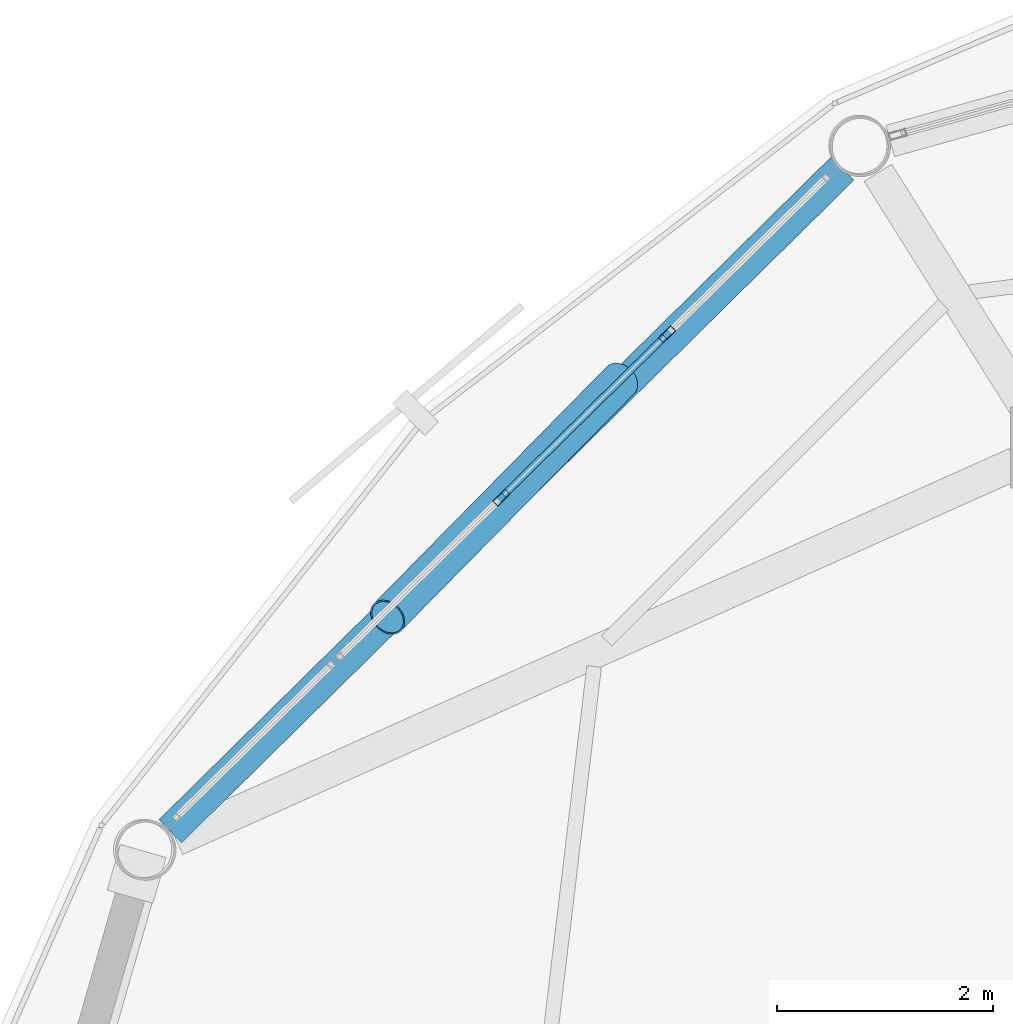
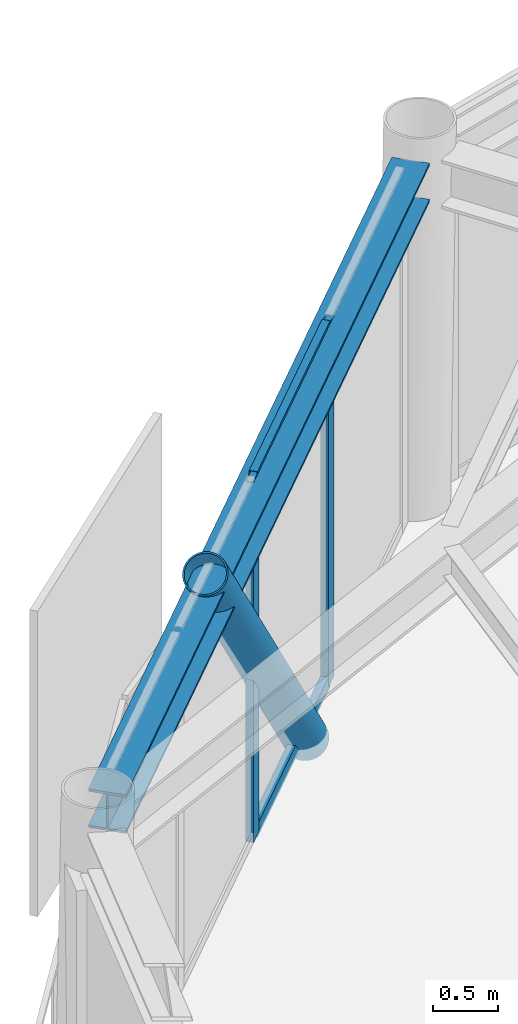
# One storey, part 13 of 27: 5 members, 1 beam, 1 element without a shape of its own.
"""IFC4 building model written with IfcOpenShell, lengths in metres."""

import ifcopenshell
import ifcopenshell.guid

model = None  # the IFC model being written
_history = None  # IfcOwnerHistory: only IFC2X3 demands one
_inside = {}  # id of a spatial element -> (the spatial element, [elements in it])
_under = {}  # id of a project, library or spatial element -> (it, [spatial elements below it])
_declared = {}  # id of a project -> (the project, [libraries it declares])
_typed = {}  # id of a type object -> (the type object, [elements of that type])
_made_of = {}  # id of a material, layer set ... -> (it, [elements and type objects made of it])


def new_model(schema):
    """Start an empty IFC model of exactly this schema.

    Asked for "IFC4X3", IfcOpenShell would pick the latest addendum, in which some entities
    have other attributes; the version numbers below select the first issue.
    IFC2X3 requires an IfcOwnerHistory on every rooted entity: one is made here for all.
    """
    global model, _history
    if schema == "IFC4X3":
        model = ifcopenshell.file(schema_version=(4, 3, 0, 0))
    else:
        model = ifcopenshell.file(schema=schema)
    _inside.clear()
    _under.clear()
    _declared.clear()
    _typed.clear()
    _made_of.clear()
    _history = None
    if model.schema == "IFC2X3":
        org = make("IfcOrganization", Name="unknown")
        user = make(
            "IfcPersonAndOrganization",
            ThePerson=make("IfcPerson", FamilyName="unknown"),
            TheOrganization=org,
        )
        app = make(
            "IfcApplication",
            ApplicationDeveloper=org,
            Version="unknown",
            ApplicationFullName="unknown",
            ApplicationIdentifier="unknown",
        )
        _history = make(
            "IfcOwnerHistory",
            OwningUser=user,
            OwningApplication=app,
            ChangeAction="ADDED",
            CreationDate=0,
        )
    return model


def make(cls, **values):
    """One entity of the class cls with the attributes given. An attribute that is None is left unset."""
    return model.create_entity(
        cls, **{name: value for name, value in values.items() if value is not None}
    )


def rooted(cls, **values):
    """An entity with a GlobalId (a new one), such as an element, a storey or a relation."""
    return make(cls, GlobalId=ifcopenshell.guid.new(), OwnerHistory=_history, **values)


def si_unit(unit_type, name, prefix=None):
    """IfcSIUnit, for example si_unit("LENGTHUNIT", "METRE", prefix="MILLI")."""
    return make("IfcSIUnit", UnitType=unit_type, Prefix=prefix, Name=name)


def assignment(units):
    """IfcUnitAssignment: the units of a project."""
    return None if units is None else make("IfcUnitAssignment", Units=units)


def point(xyz):
    """IfcCartesianPoint."""
    return None if xyz is None else make("IfcCartesianPoint", Coordinates=xyz)


def direction(xyz):
    """IfcDirection."""
    return None if xyz is None else make("IfcDirection", DirectionRatios=xyz)


def frame(location, z_axis=None, x_axis=None):
    """IfcAxis2Placement3D, a coordinate frame: its origin and axes. An axis left out is left unset."""
    return make(
        "IfcAxis2Placement3D",
        Location=point(location),
        Axis=direction(z_axis),
        RefDirection=direction(x_axis),
    )


def frame_2d(location, x_axis=None):
    """IfcAxis2Placement2D, a coordinate frame in the plane: its origin and x axis."""
    return make(
        "IfcAxis2Placement2D", Location=point(location), RefDirection=direction(x_axis)
    )


def origin():
    """The frame at (0, 0, 0) with its axes left unset."""
    return frame((0.0, 0.0, 0.0))


def origin_2d():
    """The frame at (0, 0) in the plane with its x axis left unset."""
    return frame_2d((0.0, 0.0))


def place(relative_to, where):
    """IfcLocalPlacement: puts the frame where relative to a parent placement (None: the world)."""
    return make(
        "IfcLocalPlacement", PlacementRelTo=relative_to, RelativePlacement=where
    )


def context(
    kind, dimensions, precision=None, world=None, true_north=None, identifier=None
):
    """IfcGeometricRepresentationContext, for example the 3D "Model" context."""
    return make(
        "IfcGeometricRepresentationContext",
        ContextIdentifier=identifier,
        ContextType=kind,
        CoordinateSpaceDimension=dimensions,
        Precision=precision,
        WorldCoordinateSystem=world,
        TrueNorth=true_north,
    )


def subcontext(parent, identifier, kind, view, scale=None):
    """IfcGeometricRepresentationSubContext, for example "Body" below "Model"."""
    return make(
        "IfcGeometricRepresentationSubContext",
        ContextIdentifier=identifier,
        ContextType=kind,
        ParentContext=parent,
        TargetScale=scale,
        TargetView=view,
    )


def project(units=None, contexts=None):
    """IfcProject with its units and contexts."""
    return rooted(
        "IfcProject",
        Name="project",
        RepresentationContexts=contexts,
        UnitsInContext=assignment(units),
    )


def spatial(cls, under=None, at=None, **own):
    """A site, building, storey or space (cls), placed at a placement, below another one or the project."""
    s = rooted(cls, ObjectPlacement=at, **own)
    if under is not None:
        _under.setdefault(under.id(), (under, []))[1].append(s)
    return s


def profile(cls, at=None, kind="AREA", **sizes):
    """A parametric profile (cls). Its sizes go by their IFC names, for example OverallWidth=200.0."""
    return make(cls, ProfileType=kind, Position=at, **sizes)


def hollow_rectangle(**sizes):
    """IfcRectangleHollowProfileDef."""
    return profile("IfcRectangleHollowProfileDef", **sizes)


def hollow_circle(**sizes):
    """IfcCircleHollowProfileDef."""
    return profile("IfcCircleHollowProfileDef", **sizes)


def i_section(**sizes):
    """IfcIShapeProfileDef."""
    return profile("IfcIShapeProfileDef", **sizes)


def extrude(swept, where, along, depth):
    """IfcExtrudedAreaSolid: the profile swept, set in the frame where, extruded along a direction by depth."""
    return make(
        "IfcExtrudedAreaSolid",
        SweptArea=swept,
        Position=where,
        ExtrudedDirection=direction(along),
        Depth=depth,
    )


def shape(context_of_items, identifier, shape_type, items):
    """IfcShapeRepresentation: the items that make up one representation, for example the "Body"."""
    return make(
        "IfcShapeRepresentation",
        ContextOfItems=context_of_items,
        RepresentationIdentifier=identifier,
        RepresentationType=shape_type,
        Items=items,
    )


def material(Name=None, Category=None):
    """IfcMaterial."""
    return make("IfcMaterial", Name=Name, Category=Category)


def layer(
    of_material, thickness, ventilated=None, Name=None, Category=None, Priority=None
):
    """IfcMaterialLayer: one layer of a wall or slab, of a material (None: an air gap)."""
    return make(
        "IfcMaterialLayer",
        Material=of_material,
        LayerThickness=thickness,
        IsVentilated=ventilated,
        Name=Name,
        Category=Category,
        Priority=Priority,
    )


def layer_set(layers, Name=None):
    """IfcMaterialLayerSet."""
    return make("IfcMaterialLayerSet", MaterialLayers=layers, LayerSetName=Name)


def material_profile(
    of_material, cross_section, Name=None, Category=None, Priority=None
):
    """IfcMaterialProfile: a cross section and its material."""
    return make(
        "IfcMaterialProfile",
        Name=Name,
        Material=of_material,
        Profile=cross_section,
        Priority=Priority,
        Category=Category,
    )


def profile_set(profiles, Name=None, composite=None):
    """IfcMaterialProfileSet."""
    return make(
        "IfcMaterialProfileSet",
        Name=Name,
        MaterialProfiles=profiles,
        CompositeProfile=composite,
    )


def made_of(thing, what):
    """Note that an element or type object is made of a material, layer set ...; save() writes the relation."""
    if what is not None:
        _made_of.setdefault(what.id(), (what, []))[1].append(thing)
    return thing


def type_object(cls, material=None, **own):
    """A type object (cls), such as IfcWallType, which elements share."""
    return made_of(rooted(cls, **own), material)


def element(
    cls,
    number,
    at=None,
    inside=None,
    cuts=None,
    type_object=None,
    material=None,
    context=None,
    identifier="Body",
    shape_type=None,
    held_by="IfcProductDefinitionShape",
    body=None,
    shapes=None,
    **own,
):
    """One element of the class cls, such as IfcWall. Its Tag is "e" and its number.

    at: its placement. inside: the storey or other place that contains it. cuts: it is an
    opening in that element (IfcRelVoidsElement). A single representation is given by context,
    identifier, shape_type and body (its items); several are given by shapes. held_by: the class
    of the entity that holds the representations. save() writes the other relations.
    """
    e = rooted(cls, Tag="e%d" % number, ObjectPlacement=at, **own)
    if body is not None:
        shapes = [shape(context, identifier, shape_type, body)]
    if shapes is not None:
        e.Representation = make(held_by, Representations=shapes)
    if inside is not None:
        _inside.setdefault(inside.id(), (inside, []))[1].append(e)
    if cuts is not None:
        rooted(
            "IfcRelVoidsElement", RelatingBuildingElement=cuts, RelatedOpeningElement=e
        )
    if type_object is not None:
        _typed.setdefault(type_object.id(), (type_object, []))[1].append(e)
    return made_of(e, material)


def aggregate(whole, parts):
    """IfcRelAggregates: a whole, such as a stair, and the parts it consists of."""
    return rooted("IfcRelAggregates", RelatingObject=whole, RelatedObjects=parts)


def save(model, path):
    """Write the relations noted so far, then the file.

    IfcRelAggregates (storeys below a building ...), IfcRelContainedInSpatialStructure (elements
    in a storey), IfcRelDefinesByType, IfcRelAssociatesMaterial and IfcRelDeclares: one each for
    every whole, place, type object, material and project.
    """
    for whole, parts in _under.values():
        aggregate(whole, parts)
    for where, things in _inside.values():
        rooted(
            "IfcRelContainedInSpatialStructure",
            RelatedElements=things,
            RelatingStructure=where,
        )
    for kind, things in _typed.values():
        rooted("IfcRelDefinesByType", RelatedObjects=things, RelatingType=kind)
    for what, things in _made_of.values():
        rooted("IfcRelAssociatesMaterial", RelatedObjects=things, RelatingMaterial=what)
    for by, libraries in _declared.values():
        rooted("IfcRelDeclares", RelatingContext=by, RelatedDefinitions=libraries)
    model.write(path)


model = new_model("IFC4")

# Units and contexts
model_context = context("Model", 3, precision=1e-05, world=origin(), true_north=direction((0.0, 1.0)))
body_context = subcontext(model_context, "Body", "Model", "MODEL_VIEW")
ifc_project = project(units=[si_unit("LENGTHUNIT", "METRE"), si_unit("AREAUNIT", "SQUARE_METRE"), si_unit("VOLUMEUNIT", "CUBIC_METRE"), si_unit("PLANEANGLEUNIT", "RADIAN"), si_unit("MASSUNIT", "GRAM", prefix="KILO")], contexts=[model_context])

# Site, building, storey
site_placement = place(None, origin())
site = spatial("IfcSite", under=ifc_project, at=site_placement, CompositionType="ELEMENT")
building_placement = place(site_placement, origin())
building = spatial("IfcBuilding", under=site, at=building_placement, Name="Varnakorn Sky Granary", CompositionType="ELEMENT")
storey_placement = place(building_placement, frame((0.0, 0.0, 263.39990234375)))
storey = spatial("IfcBuildingStorey", under=building, at=storey_placement, Name="L67", CompositionType="ELEMENT", Elevation=263.39990234375)

# Beam
ifc_material_1 = material(Name="Steel S355JR", Category="steel")
ifc_material_profile_1 = material_profile(ifc_material_1, i_section(OverallWidth=0.300048828125, OverallDepth=0.360107421875, WebThickness=0.012451171875, FlangeThickness=0.0224609375, at=origin_2d()), Name="HE 360 B")
ifc_profile_set_1 = profile_set([ifc_material_profile_1], Name="Steel S355JR")
beam_type = type_object("IfcBeamType", Name="BM-SPD-Z5", PredefinedType="SPANDREL", material=ifc_profile_set_1)
beam_placement = place(storey_placement, frame((-4.348876953125, 15.201904296875, 3.18017578125), z_axis=(-0.712078619824, -0.702099735927, 0.0), x_axis=(0.702099735927, -0.712078619824, 0.0)))
element("IfcBeam", 1, at=beam_placement, inside=storey, type_object=beam_type, Name="Perimeter Spandrel Ring Beam RB05 L67", PredefinedType="SPANDREL", context=body_context, shape_type="SweptSolid", body=[
    extrude(i_section(OverallWidth=0.300048828125, OverallDepth=0.360107421875, WebThickness=0.012451171875, FlangeThickness=0.0224609375, at=origin_2d()), origin(), (0.0, 0.0, 1.0), 8.734375),
])

# Curtain wall, members
ifc_material_2 = material(Name="Anodised Bronze Aluminium Alloy 6063-T6", Category="aluminium")
ifc_layer = layer(ifc_material_2, 0.159912109375, Name="Anodised Bronze Aluminium Alloy 6063-T6")
ifc_layer_set = layer_set([ifc_layer], Name="Anodised Bronze Aluminium Alloy 6063-T6")
curtain_wall_type = type_object("IfcCurtainWallType", Name="CW-OFF-1", PredefinedType="USERDEFINED", material=ifc_layer_set)
curtain_wall_placement = place(storey_placement, origin())
curtain_wall = element("IfcCurtainWall", 2, at=curtain_wall_placement, inside=storey, type_object=curtain_wall_type, Name="Unitised Curtain Wall CW6 CW-L67-B05", ObjectType="CURTAIN WALL", PredefinedType="USERDEFINED")
ifc_material_profile_2 = material_profile(ifc_material_2, hollow_rectangle(XDim=0.06494140625, YDim=0.159912109375, WallThickness=0.00341796875, at=origin_2d()), Name="ALU MULL 65x160")
ifc_profile_set_2 = profile_set([ifc_material_profile_2], Name="Anodised Bronze Aluminium Alloy 6063-T6")
member_type_1 = type_object("IfcMemberType", Name="CW-OFF-1-MULL", PredefinedType="MULLION", material=ifc_profile_set_2)
member_1_placement = place(storey_placement, frame((-7.5048828125, 12.158935546875, 0.0), z_axis=(0.0, 0.0, 1.0), x_axis=(-0.701440030116, 0.71272847856, 0.0)))
member_1 = element("IfcMember", 3, at=member_1_placement, type_object=member_type_1, Name="CW6 mullion 3", PredefinedType="MULLION", context=body_context, shape_type="SweptSolid", body=[
    extrude(hollow_rectangle(XDim=0.06494140625, YDim=0.159912109375, WallThickness=0.00341796875, at=origin_2d()), origin(), (0.0, 0.0, 1.0), 3.360107421875),
])
member_2_placement = place(storey_placement, frame((-5.970703125, 13.6689453125, 0.0), z_axis=(0.0, 0.0, 1.0), x_axis=(-0.701440030116, 0.71272847856, 0.0)))
member_2 = element("IfcMember", 4, at=member_2_placement, type_object=member_type_1, Name="CW6 mullion 4", PredefinedType="MULLION", context=body_context, shape_type="SweptSolid", body=[
    extrude(hollow_rectangle(XDim=0.06494140625, YDim=0.159912109375, WallThickness=0.00341796875, at=origin_2d()), origin(), (0.0, 0.0, 1.0), 3.360107421875),
])
ifc_material_profile_3 = material_profile(ifc_material_2, hollow_rectangle(XDim=0.06494140625, YDim=0.1201171875, WallThickness=0.00341796875, at=origin_2d()), Name="ALU TRAN 65x120")
ifc_profile_set_3 = profile_set([ifc_material_profile_3], Name="Anodised Bronze Aluminium Alloy 6063-T6")
member_type_2 = type_object("IfcMemberType", Name="CW-OFF-1-TRAN", PredefinedType="USERDEFINED", material=ifc_profile_set_3)
member_3_placement = place(storey_placement, frame((-7.48193359375, 12.181884765625, 0.03271484375), z_axis=(0.712755675691, 0.701412394224, 0.0), x_axis=(-0.701412394224, 0.712755675691, 0.0)))
member_3 = element("IfcMember", 5, at=member_3_placement, type_object=member_type_2, Name="CW6 transom 3.1", ObjectType="TRANSOM", PredefinedType="USERDEFINED", context=body_context, shape_type="SweptSolid", body=[
    extrude(hollow_rectangle(XDim=0.06494140625, YDim=0.1201171875, WallThickness=0.00341796875, at=origin_2d()), origin(), (0.0, 0.0, 1.0), 2.087646484375),
])
member_4_placement = place(storey_placement, frame((-7.48193359375, 12.181884765625, 3.32763671875), z_axis=(0.712755675691, 0.701412394224, 0.0), x_axis=(-0.701412394224, 0.712755675691, 0.0)))
member_4 = element("IfcMember", 6, at=member_4_placement, type_object=member_type_2, Name="CW6 transom 3.2", ObjectType="TRANSOM", PredefinedType="USERDEFINED", context=body_context, shape_type="SweptSolid", body=[
    extrude(hollow_rectangle(XDim=0.06494140625, YDim=0.1201171875, WallThickness=0.00341796875, at=origin_2d()), origin(), (0.0, 0.0, 1.0), 2.087646484375),
])
aggregate(curtain_wall, [member_1, member_2, member_3, member_4])

# Member
ifc_material_3 = material(Name="Steel S460M", Category="steel")
ifc_material_profile_4 = material_profile(ifc_material_3, hollow_circle(Radius=0.177734375, WallThickness=0.01416015625, at=origin_2d()), Name="CHS 355.6x14")
ifc_profile_set_4 = profile_set([ifc_material_profile_4], Name="Steel S460M")
member_type_3 = type_object("IfcMemberType", Name="MB-DIAG-T5", PredefinedType="BRACE", material=ifc_profile_set_4)
member_5_placement = place(storey_placement, frame((-6.401611328125, 13.2451171875, -0.1298828125), z_axis=(-0.453935093117, -0.461747381857, 0.762057928628), x_axis=(0.71311362066, -0.701048474807, 0.0)))
element("IfcMember", 7, at=member_5_placement, inside=storey, type_object=member_type_3, Name="Perimeter CHS Diagrid Brace DG05 L67", PredefinedType="BRACE", context=body_context, shape_type="SweptSolid", body=[
    extrude(hollow_circle(Radius=0.177734375, WallThickness=0.01416015625, at=origin_2d()), origin(), (0.0, 0.0, 1.0), 4.750244140625),
])

save(model, "model.ifc")
